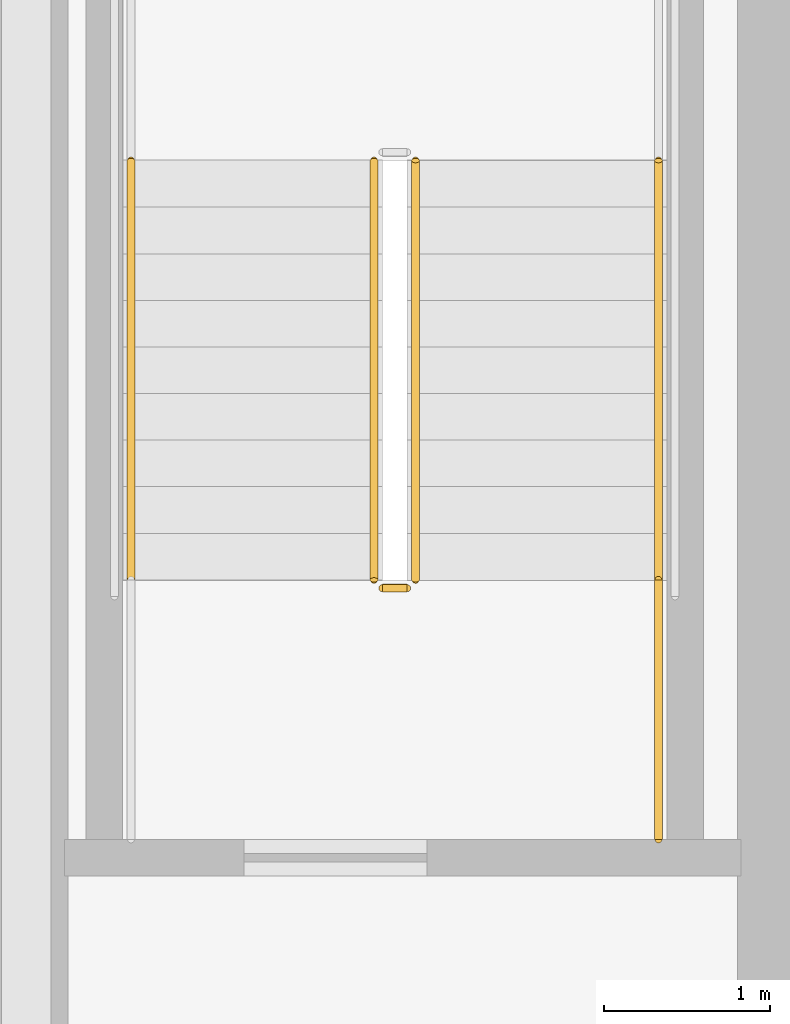
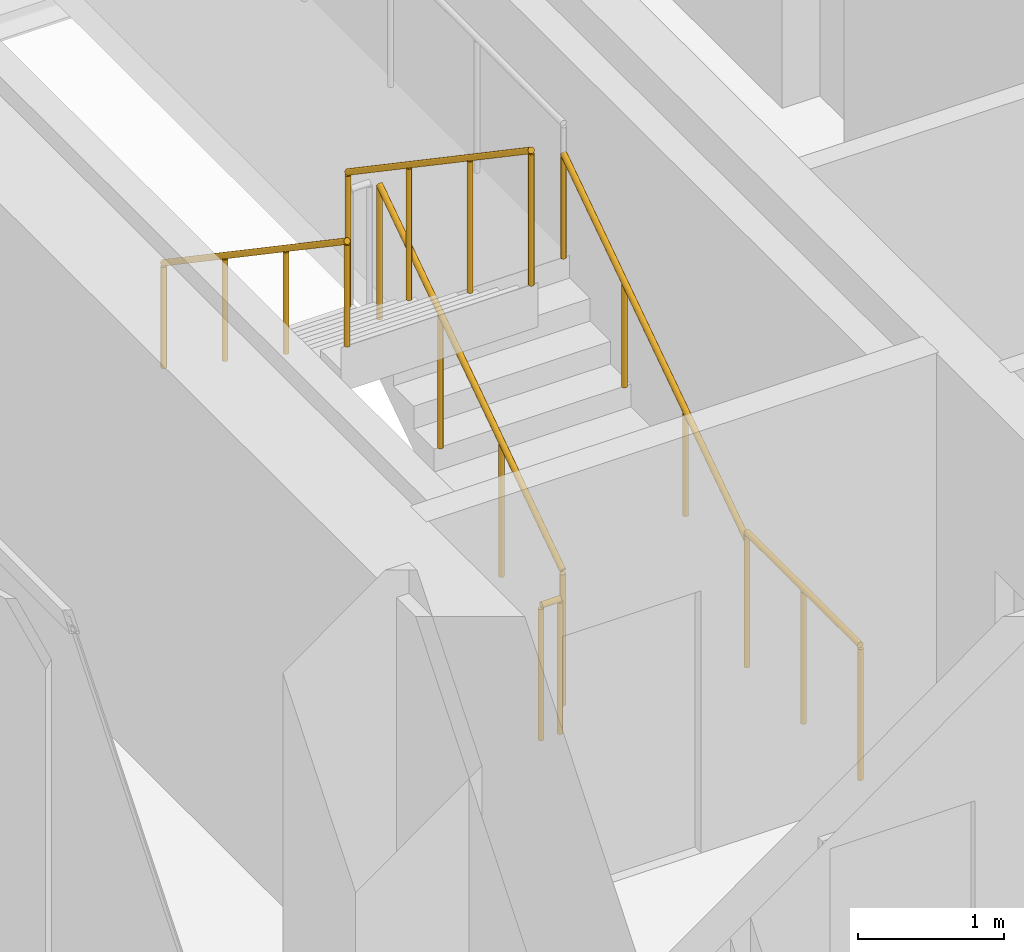
# One storey, part 13 of 16: 6 railings.
"""IFC4 building model written with IfcOpenShell, lengths in metres."""

from ifc_helpers import new_model, si_unit, direction, frame, origin, origin_2d, place, context, subcontext, project, spatial, circle, extrude, material, type_object, element, save


model = new_model("IFC4")

# Units and contexts
model_context = context("Model", 3, precision=1e-05, world=origin(), true_north=direction((0.0, 1.0)))
body_context = subcontext(model_context, "Body", "Model", "MODEL_VIEW")
ifc_project = project(units=[si_unit("LENGTHUNIT", "METRE"), si_unit("AREAUNIT", "SQUARE_METRE"), si_unit("VOLUMEUNIT", "CUBIC_METRE"), si_unit("PLANEANGLEUNIT", "RADIAN"), si_unit("MASSUNIT", "GRAM", prefix="KILO")], contexts=[model_context])

# Site, building, storey
site_placement = place(None, origin())
site = spatial("IfcSite", under=ifc_project, at=site_placement, CompositionType="ELEMENT")
building_placement = place(site_placement, origin())
building = spatial("IfcBuilding", under=site, at=building_placement, Name="Khairoan Windgate Tower", CompositionType="ELEMENT")
storey_placement = place(building_placement, frame((0.0, 0.0, 187.800048828125)))
storey = spatial("IfcBuildingStorey", under=building, at=storey_placement, Name="L43", CompositionType="ELEMENT", Elevation=187.800048828125)

# Railings
ifc_material_1 = material(Name="Anodised Bronze Aluminium 6063-T6", Category="aluminium")
railing_type_1 = type_object("IfcRailingType", Name="Stair Wall Handrail SHR-900", PredefinedType="HANDRAIL", material=ifc_material_1)
railing_1_placement = place(storey_placement, frame((-16.199951171875, 2.9599609375, 0.18994140625)))
element("IfcRailing", 1, at=railing_1_placement, inside=storey, type_object=railing_type_1, Name="L43 ST2 stair handrail 1", PredefinedType="HANDRAIL", context=body_context, shape_type="SweptSolid", body=[
    extrude(circle(Radius=0.02392578125, at=origin_2d()), frame((0.0, 0.0, 0.8759765625), z_axis=(0.0, 0.827483756001, 0.561489655786), x_axis=(-1.0, 0.0, 0.0)), (0.0, 0.0, 1.0), 3.04541015625),
    extrude(circle(Radius=0.02099609375, at=origin_2d()), origin(), (0.0, 0.0, 1.0), 0.851806640625),
    extrude(circle(Radius=0.02099609375, at=origin_2d()), frame((0.0, 0.840087890625, 0.570068359375)), (0.0, 0.0, 1.0), 0.851806640625),
    extrude(circle(Radius=0.02099609375, at=origin_2d()), frame((0.0, 1.679931640625, 1.139892578125)), (0.0, 0.0, 1.0), 0.851806640625),
    extrude(circle(Radius=0.02099609375, at=origin_2d()), frame((0.0, 2.52001953125, 1.7099609375)), (0.0, 0.0, 1.0), 0.851806640625),
])
railing_2_placement = place(storey_placement, frame((-19.3701171875, 5.47998046875, 2.08984375)))
element("IfcRailing", 2, at=railing_2_placement, inside=storey, type_object=railing_type_1, Name="L43 ST2 stair handrail 2", PredefinedType="HANDRAIL", context=body_context, shape_type="SweptSolid", body=[
    extrude(circle(Radius=0.02392578125, at=origin_2d()), frame((0.0, 0.0, 0.8759765625), z_axis=(0.0, -0.82744650838, 0.561544544778), x_axis=(1.0, 0.0, 0.0)), (0.0, 0.0, 1.0), 3.045654296875),
    extrude(circle(Radius=0.02099609375, at=origin_2d()), origin(), (0.0, 0.0, 1.0), 0.851806640625),
    extrude(circle(Radius=0.02099609375, at=origin_2d()), frame((0.0, -0.840087890625, 0.570068359375)), (0.0, 0.0, 1.0), 0.851806640625),
    extrude(circle(Radius=0.02099609375, at=origin_2d()), frame((0.0, -1.679931640625, 1.14013671875)), (0.0, 0.0, 1.0), 0.851806640625),
    extrude(circle(Radius=0.02099609375, at=origin_2d()), frame((0.0, -2.52001953125, 1.710205078125)), (0.0, 0.0, 1.0), 0.851806640625),
])
ifc_material_2 = material(Name="Steel S355", Category="steel")
railing_type_2 = type_object("IfcRailingType", Name="Stairwell Safety Guardrail SGR-1150", PredefinedType="GUARDRAIL", material=ifc_material_2)
railing_3_placement = place(storey_placement, frame((-17.659912109375, 2.9599609375, 0.18994140625)))
element("IfcRailing", 3, at=railing_3_placement, inside=storey, type_object=railing_type_2, Name="L43 ST2 stair guard 1", PredefinedType="GUARDRAIL", context=body_context, shape_type="SweptSolid", body=[
    extrude(circle(Radius=0.02392578125, at=origin_2d()), frame((0.0, 0.0, 1.1259765625), z_axis=(0.0, 0.827483756001, 0.561489655786), x_axis=(-1.0, 0.0, 0.0)), (0.0, 0.0, 1.0), 3.04541015625),
    extrude(circle(Radius=0.02099609375, at=origin_2d()), origin(), (0.0, 0.0, 1.0), 1.101806640625),
    extrude(circle(Radius=0.02099609375, at=origin_2d()), frame((0.0, 0.840087890625, 0.570068359375)), (0.0, 0.0, 1.0), 1.101806640625),
    extrude(circle(Radius=0.02099609375, at=origin_2d()), frame((0.0, 1.679931640625, 1.139892578125)), (0.0, 0.0, 1.0), 1.101806640625),
    extrude(circle(Radius=0.02099609375, at=origin_2d()), frame((0.0, 2.52001953125, 1.7099609375)), (0.0, 0.0, 1.0), 1.101806640625),
])
railing_4_placement = place(storey_placement, frame((-17.909912109375, 5.47998046875, 2.08984375)))
element("IfcRailing", 4, at=railing_4_placement, inside=storey, type_object=railing_type_2, Name="L43 ST2 stair guard 6", PredefinedType="GUARDRAIL", context=body_context, shape_type="SweptSolid", body=[
    extrude(circle(Radius=0.02392578125, at=origin_2d()), frame((0.0, 0.0, 1.1259765625), z_axis=(0.0, -0.82744650838, 0.561544544778), x_axis=(1.0, 0.0, 0.0)), (0.0, 0.0, 1.0), 3.045654296875),
    extrude(circle(Radius=0.02099609375, at=origin_2d()), origin(), (0.0, 0.0, 1.0), 1.101806640625),
    extrude(circle(Radius=0.02099609375, at=origin_2d()), frame((0.0, -0.840087890625, 0.570068359375)), (0.0, 0.0, 1.0), 1.101806640625),
    extrude(circle(Radius=0.02099609375, at=origin_2d()), frame((0.0, -1.679931640625, 1.14013671875)), (0.0, 0.0, 1.0), 1.101806640625),
    extrude(circle(Radius=0.02099609375, at=origin_2d()), frame((0.0, -2.52001953125, 1.710205078125)), (0.0, 0.0, 1.0), 1.101806640625),
])
railing_5_placement = place(storey_placement, frame((-17.7099609375, 2.909912109375, 0.0)))
element("IfcRailing", 5, at=railing_5_placement, inside=storey, type_object=railing_type_2, Name="L43 ST2 stair guard 7", PredefinedType="GUARDRAIL", context=body_context, shape_type="SweptSolid", body=[
    extrude(circle(Radius=0.02392578125, at=origin_2d()), frame((0.0, 0.0, 1.1259765625), z_axis=(-1.0, 0.0, 0.0), x_axis=(0.0, -1.0, 0.0)), (0.0, 0.0, 1.0), 0.150146484375),
    extrude(circle(Radius=0.02099609375, at=origin_2d()), origin(), (0.0, 0.0, 1.0), 1.101806640625),
    extrude(circle(Radius=0.02099609375, at=origin_2d()), frame((-0.150146484375, 0.0, 0.0)), (0.0, 0.0, 1.0), 1.101806640625),
])
railing_6_placement = place(storey_placement, frame((-16.199951171875, 1.39990234375, 0.0)))
element("IfcRailing", 6, at=railing_6_placement, inside=storey, type_object=railing_type_2, Name="L43 ST2 stair guard 8", PredefinedType="GUARDRAIL", context=body_context, shape_type="SweptSolid", body=[
    extrude(circle(Radius=0.02392578125, at=origin_2d()), frame((0.0, 0.0, 1.1259765625), z_axis=(0.0, 1.0, 0.0), x_axis=(-1.0, 0.0, 0.0)), (0.0, 0.0, 1.0), 1.56005859375),
    extrude(circle(Radius=0.02099609375, at=origin_2d()), origin(), (0.0, 0.0, 1.0), 1.101806640625),
    extrude(circle(Radius=0.02099609375, at=origin_2d()), frame((0.0, 0.780029296875, 0.0)), (0.0, 0.0, 1.0), 1.101806640625),
    extrude(circle(Radius=0.02099609375, at=origin_2d()), frame((0.0, 1.56005859375, 0.0)), (0.0, 0.0, 1.0), 1.101806640625),
])

save(model, "model.ifc")
